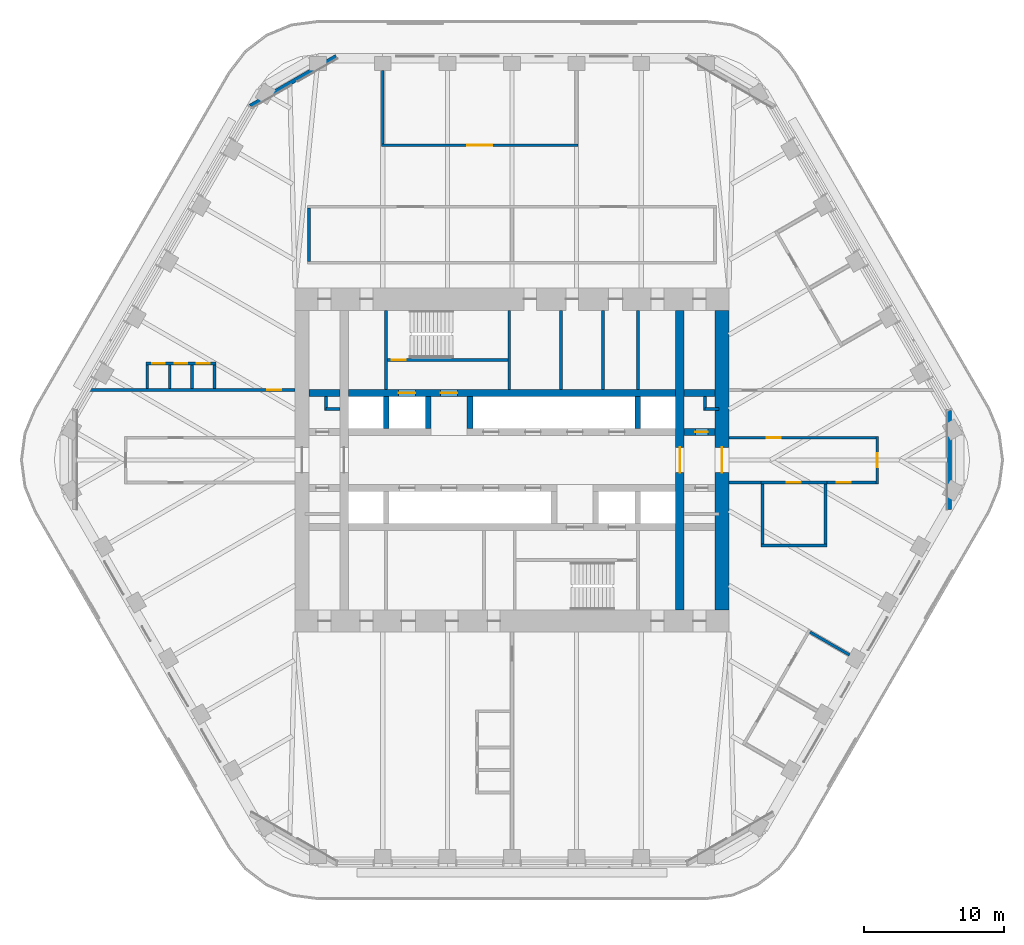
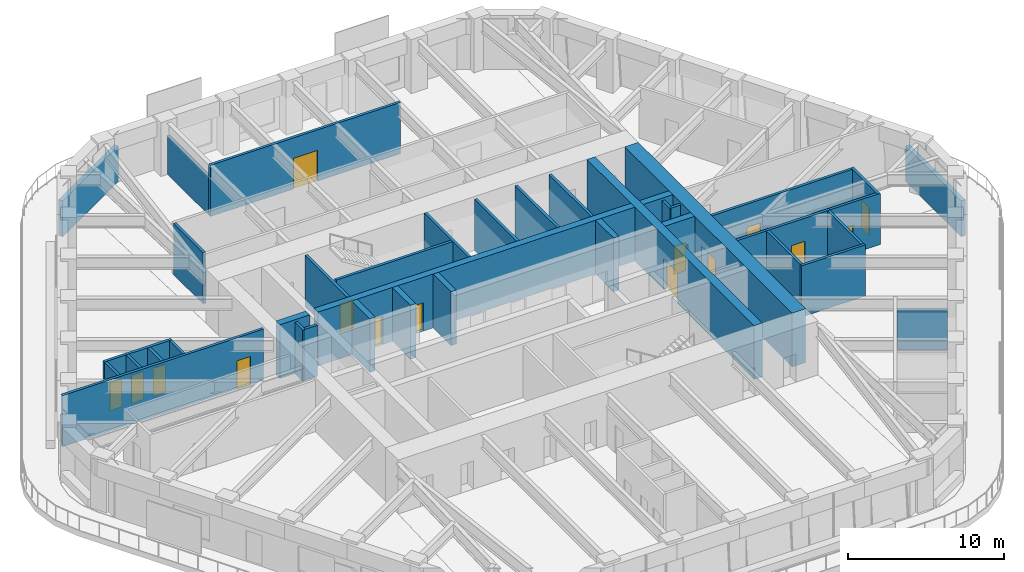
# One storey, part 16 of 20: 40 walls, 15 doors, 15 openings.
"""IFC4 building model written with IfcOpenShell, lengths in metres."""

from ifc_helpers import new_model, si_unit, direction, frame, frame_2d, origin, place, context, subcontext, project, spatial, rectangle, extrude, material, layer, layer_set, type_object, element, fill, save


model = new_model("IFC4")

# Units and contexts
model_context = context("Model", 3, precision=1e-05, world=origin(), true_north=direction((0.0, 1.0)))
body_context = subcontext(model_context, "Body", "Model", "MODEL_VIEW")
ifc_project = project(units=[si_unit("LENGTHUNIT", "METRE"), si_unit("AREAUNIT", "SQUARE_METRE"), si_unit("VOLUMEUNIT", "CUBIC_METRE"), si_unit("PLANEANGLEUNIT", "RADIAN"), si_unit("MASSUNIT", "GRAM", prefix="KILO")], contexts=[model_context])

# Site, building, storey
site_placement = place(None, origin())
site = spatial("IfcSite", under=ifc_project, at=site_placement, CompositionType="ELEMENT")
building_placement = place(site_placement, origin())
building = spatial("IfcBuilding", under=site, at=building_placement, Name="Tarfa Lantern Tower", CompositionType="ELEMENT")
storey_placement = place(building_placement, frame((0.0, 0.0, 270.10009765625)))
storey = spatial("IfcBuildingStorey", under=building, at=storey_placement, Name="L61", CompositionType="ELEMENT", Elevation=270.10009765625)

# Walls
ifc_material_1 = material(Name="Limestone cladding on blockwork", Category="masonry")
ifc_layer_1 = layer(ifc_material_1, 0.300048828125)
ifc_layer_set_1 = layer_set([ifc_layer_1], Name="EW1 STONE-CLAD WALL 300")
wall_type_1 = type_object("IfcWallType", Name="EW1 STONE-CLAD WALL 300", PredefinedType="SOLIDWALL", material=ifc_layer_set_1)
wall_1_placement = place(storey_placement, frame((-12.556396484375, 28.85009765625, 0.0), z_axis=(0.0, 0.0, 1.0), x_axis=(-0.866010973379, -0.500024993363, 0.0)))
element("IfcWall", 1, at=wall_1_placement, inside=storey, type_object=wall_type_1, Name="Garden wall N-NW", PredefinedType="SOLIDWALL", context=body_context, shape_type="SweptSolid", body=[
    extrude(rectangle(XDim=7.101806640625, YDim=0.300048828125, at=frame_2d((3.55078125, 0.0))), origin(), (0.0, 0.0, 1.0), 2.7998046875),
])
wall_2_placement = place(storey_placement, frame((31.262939453125, -3.55078125, 0.0), z_axis=(0.0, 0.0, 1.0), x_axis=(0.0, 1.0, 0.0)))
element("IfcWall", 2, at=wall_2_placement, inside=storey, type_object=wall_type_1, Name="Garden wall SE-NE", PredefinedType="SOLIDWALL", context=body_context, shape_type="SweptSolid", body=[
    extrude(rectangle(XDim=7.1015625, YDim=0.300048828125, at=frame_2d((3.55078125, 0.0))), origin(), (0.0, 0.0, 1.0), 2.7998046875),
])
ifc_material_2 = material(Name="Concrete blockwork", Category="masonry")
ifc_layer_2 = layer(ifc_material_2, 0.199951171875)
ifc_layer_set_2 = layer_set([ifc_layer_2], Name="IW1 BLOCKWORK PARTITION 200 EI 120")
wall_type_2 = type_object("IfcWallType", Name="IW1 BLOCKWORK PARTITION 200 EI 120", PredefinedType="PARTITIONING", material=ifc_layer_set_2)
for number, where, z_axis, x_axis, name in (
    (3, (-9.0, 5.050048828125, 0.0), (0.0, 0.0, 1.0), (0.0, 1.0, 0.0), "Core partition"),
    (4, (9.0, 5.050048828125, 0.0), (0.0, 0.0, 1.0), (0.0, 1.0, 0.0), "Core partition"),
    (5, (3.5, 5.050048828125, 0.0), (0.0, 0.0, 1.0), (0.0, 1.0, 0.0), "Core partition"),
    (6, (6.5, 5.050048828125, 0.0), (0.0, 0.0, 1.0), (0.0, 1.0, 0.0), "Core partition"),
):
    element("IfcWall", number, at=place(storey_placement, frame(where, z_axis=z_axis, x_axis=x_axis)), inside=storey, type_object=wall_type_2, Name=name, PredefinedType="PARTITIONING", context=body_context, shape_type="SweptSolid", body=[
        extrude(rectangle(XDim=5.64990234375, YDim=0.199951171875, at=frame_2d((2.824951171875, 0.0))), origin(), (0.0, 0.0, 1.0), 4.0),
    ])
for number, where, z_axis, x_axis, name in (
    (7, (-13.300048828125, 3.64990234375, 0.0), (0.0, 0.0, 1.0), (1.0, 0.0, 0.0), "Core partition"),
    (8, (-13.300048828125, 3.550048828125, 0.0), (0.0, 0.0, 1.0), (0.0, 1.0, 0.0), "Core partition"),
    (9, (13.800048828125, 3.64990234375, 0.0), (0.0, 0.0, 1.0), (1.0, 0.0, 0.0), "Core partition"),
    (10, (13.800048828125, 3.550048828125, 0.0), (0.0, 0.0, 1.0), (0.0, 1.0, 0.0), "Core partition"),
):
    element("IfcWall", number, at=place(storey_placement, frame(where, z_axis=z_axis, x_axis=x_axis)), inside=storey, type_object=wall_type_2, Name=name, PredefinedType="PARTITIONING", context=body_context, shape_type="SweptSolid", body=[
        extrude(rectangle(XDim=1.0, YDim=0.199951171875, at=frame_2d((0.5, 0.0))), origin(), (0.0, 0.0, 1.0), 4.0),
    ])
ifc_material_3 = material(Name="Gypsum board on steel studs", Category="steel")
ifc_layer_3 = layer(ifc_material_3, 0.2099609375)
ifc_layer_set_3 = layer_set([ifc_layer_3], Name="IW2 ACOUSTIC PARTITION 200")
wall_type_3 = type_object("IfcWallType", Name="IW2 ACOUSTIC PARTITION 200", PredefinedType="PARTITIONING", material=ifc_layer_set_3)
wall_3_placement = place(storey_placement, frame((-14.5, 14.199951171875, 0.0), z_axis=(0.0, 0.0, 1.0), x_axis=(0.0, 1.0, 0.0)))
element("IfcWall", 11, at=wall_3_placement, inside=storey, type_object=wall_type_3, Name="Partition", PredefinedType="PARTITIONING", context=body_context, shape_type="SweptSolid", body=[
    extrude(rectangle(XDim=3.800048828125, YDim=0.199951171875, at=frame_2d((1.89990234375, 0.0))), origin(), (0.0, 0.0, 1.0), 4.0),
])

# Wall, opening, door
wall_4_placement = place(storey_placement, frame((4.71875, 22.5, 0.0), z_axis=(0.0, 0.0, 1.0), x_axis=(-1.0, 0.0, 0.0)))
wall_4 = element("IfcWall", 12, at=wall_4_placement, inside=storey, type_object=wall_type_3, Name="Partition", PredefinedType="PARTITIONING", context=body_context, shape_type="SweptSolid", body=[
    extrude(rectangle(XDim=14.056396484375, YDim=0.199951171875, at=frame_2d((7.0283203125, 0.0))), origin(), (0.0, 0.0, 1.0), 4.0),
])
opening_1_placement = place(wall_4_placement, frame((6.128173828125, 0.0, 0.0)))
opening_1 = element("IfcOpeningElement", 13, at=opening_1_placement, cuts=wall_4, Name="Opening D28", PredefinedType="OPENING", context=body_context, shape_type="SweptSolid", body=[
    extrude(rectangle(XDim=1.800048828125, YDim=2.39990234375, at=frame_2d((0.89990234375, 1.199951171875))), frame((0.0, 0.10986328125, 0.0), z_axis=(0.0, -1.0, 0.0), x_axis=(1.0, 0.0, 0.0)), (0.0, 0.0, 1.0), 0.219970703125),
])
ifc_material_4 = material(Name="Timber door", Category="wood")
door_type_1 = type_object("IfcDoorType", Name="DR2 ROOM DOOR 1800x2400", OperationType="DOUBLE_DOOR_SINGLE_SWING", PredefinedType="DOOR", material=ifc_material_4)
door_1_placement = place(opening_1_placement, frame((1.800048828125, 0.0, 0.0), z_axis=(0.0, 0.0, 1.0), x_axis=(-1.0, 0.0, 0.0)))
door_1 = element("IfcDoor", 14, at=door_1_placement, inside=storey, type_object=door_type_1, Name="Presentation room door", OperationType="DOUBLE_DOOR_SINGLE_SWING", OverallHeight=2.39990234375, OverallWidth=1.800048828125, PredefinedType="DOOR", context=body_context, shape_type="SweptSolid", body=[
    extrude(rectangle(XDim=1.800048828125, YDim=2.39990234375, at=frame_2d((0.89990234375, 1.199951171875))), frame((0.0, 0.02490234375, 0.0), z_axis=(0.0, -1.0, 0.0), x_axis=(1.0, 0.0, 0.0)), (0.0, 0.0, 1.0), 0.050048828125),
])
fill(opening_1, door_1)

# Walls
wall_5_placement = place(storey_placement, frame((-9.237548828125, 22.60009765625, 0.0), z_axis=(0.0, 0.0, 1.0), x_axis=(0.0, 1.0, 0.0)))
element("IfcWall", 15, at=wall_5_placement, inside=storey, type_object=wall_type_3, Name="Partition", PredefinedType="PARTITIONING", context=body_context, shape_type="SweptSolid", body=[
    extrude(rectangle(XDim=5.25, YDim=0.199951171875, at=frame_2d((2.625, 0.0))), origin(), (0.0, 0.0, 1.0), 2.99169921875),
])
wall_6_placement = place(storey_placement, frame((21.30419921875, -12.300048828125, 0.0), z_axis=(0.0, 0.0, 1.0), x_axis=(0.866034226713, -0.499984717929, 0.0)))
element("IfcWall", 16, at=wall_6_placement, inside=storey, type_object=wall_type_3, Name="Partition", PredefinedType="PARTITIONING", context=body_context, shape_type="SweptSolid", body=[
    extrude(rectangle(XDim=3.25, YDim=0.199951171875, at=frame_2d((1.625, 0.0))), origin(), (0.0, 0.0, 1.0), 3.08154296875),
])

# Wall, opening, door
wall_7_placement = place(storey_placement, frame((17.800048828125, -1.60009765625, 0.0), z_axis=(0.0, 0.0, 1.0), x_axis=(1.0, 0.0, 0.0)))
wall_7 = element("IfcWall", 17, at=wall_7_placement, inside=storey, type_object=wall_type_3, Name="Partition", PredefinedType="PARTITIONING", context=body_context, shape_type="SweptSolid", body=[
    extrude(rectangle(XDim=4.699951171875, YDim=0.199951171875, at=frame_2d((2.35009765625, 0.0))), origin(), (0.0, 0.0, 1.0), 4.0),
])
opening_2_placement = place(wall_7_placement, frame((1.85009765625, 0.0, 0.0)))
opening_2 = element("IfcOpeningElement", 18, at=opening_2_placement, cuts=wall_7, Name="Opening D27", PredefinedType="OPENING", context=body_context, shape_type="SweptSolid", body=[
    extrude(rectangle(XDim=1.0, YDim=2.199951171875, at=frame_2d((0.5, 1.10009765625))), frame((0.0, 0.10986328125, 0.0), z_axis=(0.0, -1.0, 0.0), x_axis=(1.0, 0.0, 0.0)), (0.0, 0.0, 1.0), 0.219970703125),
])
door_type_2 = type_object("IfcDoorType", Name="DR1 ROOM DOOR 1000x2200", OperationType="SINGLE_SWING_LEFT", PredefinedType="DOOR", material=ifc_material_4)
door_2_placement = place(opening_2_placement, frame((1.0, 0.0, 0.0), z_axis=(0.0, 0.0, 1.0), x_axis=(-1.0, 0.0, 0.0)))
door_2 = element("IfcDoor", 19, at=door_2_placement, inside=storey, type_object=door_type_2, Name="Pantry door", OperationType="SINGLE_SWING_RIGHT", OverallHeight=2.199951171875, OverallWidth=1.0, PredefinedType="DOOR", context=body_context, shape_type="SweptSolid", body=[
    extrude(rectangle(XDim=1.0, YDim=2.199951171875, at=frame_2d((0.5, 1.10009765625))), frame((0.0, 0.02490234375, 0.0), z_axis=(0.0, -1.0, 0.0), x_axis=(1.0, 0.0, 0.0)), (0.0, 0.0, 1.0), 0.050048828125),
])
fill(opening_2, door_2)

# Walls
wall_8_placement = place(storey_placement, frame((17.800048828125, -6.10009765625, 0.0), z_axis=(0.0, 0.0, 1.0), x_axis=(1.0, 0.0, 0.0)))
element("IfcWall", 20, at=wall_8_placement, inside=storey, type_object=wall_type_3, Name="Partition", PredefinedType="PARTITIONING", context=body_context, shape_type="SweptSolid", body=[
    extrude(rectangle(XDim=4.699951171875, YDim=0.199951171875, at=frame_2d((2.35009765625, 0.0))), origin(), (0.0, 0.0, 1.0), 4.0),
])
for number, where, z_axis, x_axis, name in (
    (21, (17.89990234375, -1.699951171875, 0.0), (0.0, 0.0, 1.0), (0.0, -1.0, 0.0), "Partition"),
    (22, (22.39990234375, -1.699951171875, 0.0), (0.0, 0.0, 1.0), (0.0, -1.0, 0.0), "Partition"),
):
    element("IfcWall", number, at=place(storey_placement, frame(where, z_axis=z_axis, x_axis=x_axis)), inside=storey, type_object=wall_type_3, Name=name, PredefinedType="PARTITIONING", context=body_context, shape_type="SweptSolid", body=[
        extrude(rectangle(XDim=4.300048828125, YDim=0.199951171875, at=frame_2d((2.14990234375, 0.0))), origin(), (0.0, 0.0, 1.0), 4.0),
    ])

# Wall, opening, door
wall_9_placement = place(storey_placement, frame((15.5, 1.60009765625, 0.0), z_axis=(0.0, 0.0, 1.0), x_axis=(1.0, 0.0, 0.0)))
wall_9 = element("IfcWall", 23, at=wall_9_placement, inside=storey, type_object=wall_type_3, Name="Partition", PredefinedType="PARTITIONING", context=body_context, shape_type="SweptSolid", body=[
    extrude(rectangle(XDim=10.699951171875, YDim=0.199951171875, at=frame_2d((5.35009765625, 0.0))), origin(), (0.0, 0.0, 1.0), 4.0),
])
opening_3_placement = place(wall_9_placement, frame((2.7099609375, 0.0, 0.0)))
opening_3 = element("IfcOpeningElement", 24, at=opening_3_placement, cuts=wall_9, Name="Opening D42", PredefinedType="OPENING", context=body_context, shape_type="SweptSolid", body=[
    extrude(rectangle(XDim=1.0, YDim=2.199951171875, at=frame_2d((0.5, 1.10009765625))), frame((0.0, 0.10986328125, 0.0), z_axis=(0.0, -1.0, 0.0), x_axis=(1.0, 0.0, 0.0)), (0.0, 0.0, 1.0), 0.219970703125),
])
door_3_placement = place(opening_3_placement, origin())
door_3 = element("IfcDoor", 25, at=door_3_placement, inside=storey, type_object=door_type_2, Name="Corridor door", OperationType="SINGLE_SWING_RIGHT", OverallHeight=2.199951171875, OverallWidth=1.0, PredefinedType="DOOR", context=body_context, shape_type="SweptSolid", body=[
    extrude(rectangle(XDim=1.0, YDim=2.199951171875, at=frame_2d((0.5, 1.10009765625))), frame((0.0, 0.02490234375, 0.0), z_axis=(0.0, -1.0, 0.0), x_axis=(1.0, 0.0, 0.0)), (0.0, 0.0, 1.0), 0.050048828125),
])
fill(opening_3, door_3)

# Wall
wall_10_placement = place(storey_placement, frame((15.5, -1.60009765625, 0.0), z_axis=(0.0, 0.0, 1.0), x_axis=(1.0, 0.0, 0.0)))
element("IfcWall", 26, at=wall_10_placement, inside=storey, type_object=wall_type_3, Name="Partition", PredefinedType="PARTITIONING", context=body_context, shape_type="SweptSolid", body=[
    extrude(rectangle(XDim=2.300048828125, YDim=0.199951171875, at=frame_2d((1.14990234375, 0.0))), origin(), (0.0, 0.0, 1.0), 4.0),
])

# Wall, opening, door
wall_11_placement = place(storey_placement, frame((22.5, -1.60009765625, 0.0), z_axis=(0.0, 0.0, 1.0), x_axis=(1.0, 0.0, 0.0)))
wall_11 = element("IfcWall", 27, at=wall_11_placement, inside=storey, type_object=wall_type_3, Name="Partition", PredefinedType="PARTITIONING", context=body_context, shape_type="SweptSolid", body=[
    extrude(rectangle(XDim=3.699951171875, YDim=0.199951171875, at=frame_2d((1.85009765625, 0.0))), origin(), (0.0, 0.0, 1.0), 4.0),
])
opening_4_placement = place(wall_11_placement, frame((0.699951171875, 0.0, 0.0)))
opening_4 = element("IfcOpeningElement", 28, at=opening_4_placement, cuts=wall_11, Name="Opening D43", PredefinedType="OPENING", context=body_context, shape_type="SweptSolid", body=[
    extrude(rectangle(XDim=1.0, YDim=2.199951171875, at=frame_2d((0.5, 1.10009765625))), frame((0.0, 0.10986328125, 0.0), z_axis=(0.0, -1.0, 0.0), x_axis=(1.0, 0.0, 0.0)), (0.0, 0.0, 1.0), 0.219970703125),
])
door_4_placement = place(opening_4_placement, frame((1.0, 0.0, 0.0), z_axis=(0.0, 0.0, 1.0), x_axis=(-1.0, 0.0, 0.0)))
door_4 = element("IfcDoor", 29, at=door_4_placement, inside=storey, type_object=door_type_2, Name="Corridor door", OperationType="SINGLE_SWING_LEFT", OverallHeight=2.199951171875, OverallWidth=1.0, PredefinedType="DOOR", context=body_context, shape_type="SweptSolid", body=[
    extrude(rectangle(XDim=1.0, YDim=2.199951171875, at=frame_2d((0.5, 1.10009765625))), frame((0.0, 0.02490234375, 0.0), z_axis=(0.0, -1.0, 0.0), x_axis=(1.0, 0.0, 0.0)), (0.0, 0.0, 1.0), 0.050048828125),
])
fill(opening_4, door_4)

wall_12_placement = place(storey_placement, frame((26.10009765625, -1.699951171875, 0.0), z_axis=(0.0, 0.0, 1.0), x_axis=(0.0, 1.0, 0.0)))
wall_12 = element("IfcWall", 30, at=wall_12_placement, inside=storey, type_object=wall_type_3, Name="Partition", PredefinedType="PARTITIONING", context=body_context, shape_type="SweptSolid", body=[
    extrude(rectangle(XDim=3.39990234375, YDim=0.199951171875, at=frame_2d((1.699951171875, 0.0))), origin(), (0.0, 0.0, 1.0), 4.0),
])
opening_5_placement = place(wall_12_placement, frame((1.199951171875, 0.0, 0.0)))
opening_5 = element("IfcOpeningElement", 31, at=opening_5_placement, cuts=wall_12, Name="Opening D41", PredefinedType="OPENING", context=body_context, shape_type="SweptSolid", body=[
    extrude(rectangle(XDim=1.0, YDim=2.199951171875, at=frame_2d((0.5, 1.10009765625))), frame((0.0, 0.10986328125, 0.0), z_axis=(0.0, -1.0, 0.0), x_axis=(1.0, 0.0, 0.0)), (0.0, 0.0, 1.0), 0.219970703125),
])
door_5_placement = place(opening_5_placement, frame((1.0, 0.0, 0.0), z_axis=(0.0, 0.0, 1.0), x_axis=(-1.0, 0.0, 0.0)))
door_5 = element("IfcDoor", 32, at=door_5_placement, inside=storey, type_object=door_type_2, Name="Corridor door", OperationType="SINGLE_SWING_LEFT", OverallHeight=2.199951171875, OverallWidth=1.0, PredefinedType="DOOR", context=body_context, shape_type="SweptSolid", body=[
    extrude(rectangle(XDim=1.0, YDim=2.199951171875, at=frame_2d((0.5, 1.10009765625))), frame((0.0, 0.02490234375, 0.0), z_axis=(0.0, -1.0, 0.0), x_axis=(1.0, 0.0, 0.0)), (0.0, 0.0, 1.0), 0.050048828125),
])
fill(opening_5, door_5)

wall_13_placement = place(storey_placement, frame((-15.5, 5.0, 0.0), z_axis=(0.0, 0.0, 1.0), x_axis=(-1.0, 0.0, 0.0)))
wall_13 = element("IfcWall", 33, at=wall_13_placement, inside=storey, type_object=wall_type_3, Name="Partition", PredefinedType="PARTITIONING", context=body_context, shape_type="SweptSolid", body=[
    extrude(rectangle(XDim=14.845458984375, YDim=0.199951171875, at=frame_2d((7.4228515625, 0.0))), origin(), (0.0, 0.0, 1.0), 4.0),
])
opening_6_placement = place(wall_13_placement, frame((0.984619140625, 0.0, 0.0)))
opening_6 = element("IfcOpeningElement", 34, at=opening_6_placement, cuts=wall_13, Name="Opening D49", PredefinedType="OPENING", context=body_context, shape_type="SweptSolid", body=[
    extrude(rectangle(XDim=1.0, YDim=2.199951171875, at=frame_2d((0.5, 1.10009765625))), frame((0.0, 0.10986328125, 0.0), z_axis=(0.0, -1.0, 0.0), x_axis=(1.0, 0.0, 0.0)), (0.0, 0.0, 1.0), 0.219970703125),
])
door_6_placement = place(opening_6_placement, origin())
door_6 = element("IfcDoor", 35, at=door_6_placement, inside=storey, type_object=door_type_2, Name="Zone door", OperationType="SINGLE_SWING_RIGHT", OverallHeight=2.199951171875, OverallWidth=1.0, PredefinedType="DOOR", context=body_context, shape_type="SweptSolid", body=[
    extrude(rectangle(XDim=1.0, YDim=2.199951171875, at=frame_2d((0.5, 1.10009765625))), frame((0.0, 0.02490234375, 0.0), z_axis=(0.0, -1.0, 0.0), x_axis=(1.0, 0.0, 0.0)), (0.0, 0.0, 1.0), 0.050048828125),
])
fill(opening_6, door_6)

# Wall, openings, doors
wall_14_placement = place(storey_placement, frame((-21.1650390625, 6.89990234375, 0.0), z_axis=(0.0, 0.0, 1.0), x_axis=(-1.0, 0.0, 0.0)))
wall_14 = element("IfcWall", 36, at=wall_14_placement, inside=storey, type_object=wall_type_3, Name="Partition", PredefinedType="PARTITIONING", context=body_context, shape_type="SweptSolid", body=[
    extrude(rectangle(XDim=5.0, YDim=0.199951171875, at=frame_2d((2.5, 0.0))), origin(), (0.0, 0.0, 1.0), 4.0),
])
opening_7_placement = place(wall_14_placement, frame((0.449951171875, 0.0, 0.0)))
opening_7 = element("IfcOpeningElement", 37, at=opening_7_placement, cuts=wall_14, Name="Opening D38", PredefinedType="OPENING", context=body_context, shape_type="SweptSolid", body=[
    extrude(rectangle(XDim=0.89990234375, YDim=2.199951171875, at=frame_2d((0.449951171875, 1.10009765625))), frame((0.0, 0.10986328125, 0.0), z_axis=(0.0, -1.0, 0.0), x_axis=(1.0, 0.0, 0.0)), (0.0, 0.0, 1.0), 0.219970703125),
])
opening_8_placement = place(wall_14_placement, frame((2.050048828125, 0.0, 0.0)))
opening_8 = element("IfcOpeningElement", 38, at=opening_8_placement, cuts=wall_14, Name="Opening D39", PredefinedType="OPENING", context=body_context, shape_type="SweptSolid", body=[
    extrude(rectangle(XDim=0.89990234375, YDim=2.199951171875, at=frame_2d((0.449951171875, 1.10009765625))), frame((0.0, 0.10986328125, 0.0), z_axis=(0.0, -1.0, 0.0), x_axis=(1.0, 0.0, 0.0)), (0.0, 0.0, 1.0), 0.219970703125),
])
opening_9_placement = place(wall_14_placement, frame((3.64990234375, 0.0, 0.0)))
opening_9 = element("IfcOpeningElement", 39, at=opening_9_placement, cuts=wall_14, Name="Opening D40", PredefinedType="OPENING", context=body_context, shape_type="SweptSolid", body=[
    extrude(rectangle(XDim=0.89990234375, YDim=2.199951171875, at=frame_2d((0.449951171875, 1.10009765625))), frame((0.0, 0.10986328125, 0.0), z_axis=(0.0, -1.0, 0.0), x_axis=(1.0, 0.0, 0.0)), (0.0, 0.0, 1.0), 0.219970703125),
])
door_type_3 = type_object("IfcDoorType", Name="DR3 ROOM DOOR 900x2200", OperationType="SINGLE_SWING_LEFT", PredefinedType="DOOR", material=ifc_material_4)
door_7_placement = place(opening_7_placement, origin())
door_7 = element("IfcDoor", 40, at=door_7_placement, inside=storey, type_object=door_type_3, Name="Phone booth door", OperationType="SINGLE_SWING_RIGHT", OverallHeight=2.199951171875, OverallWidth=0.89990234375, PredefinedType="DOOR", context=body_context, shape_type="SweptSolid", body=[
    extrude(rectangle(XDim=0.89990234375, YDim=2.199951171875, at=frame_2d((0.449951171875, 1.10009765625))), frame((0.0, 0.02490234375, 0.0), z_axis=(0.0, -1.0, 0.0), x_axis=(1.0, 0.0, 0.0)), (0.0, 0.0, 1.0), 0.050048828125),
])
fill(opening_7, door_7)
door_8_placement = place(opening_8_placement, origin())
door_8 = element("IfcDoor", 41, at=door_8_placement, inside=storey, type_object=door_type_3, Name="Phone booth door", OperationType="SINGLE_SWING_RIGHT", OverallHeight=2.199951171875, OverallWidth=0.89990234375, PredefinedType="DOOR", context=body_context, shape_type="SweptSolid", body=[
    extrude(rectangle(XDim=0.89990234375, YDim=2.199951171875, at=frame_2d((0.449951171875, 1.10009765625))), frame((0.0, 0.02490234375, 0.0), z_axis=(0.0, -1.0, 0.0), x_axis=(1.0, 0.0, 0.0)), (0.0, 0.0, 1.0), 0.050048828125),
])
fill(opening_8, door_8)
door_9_placement = place(opening_9_placement, origin())
door_9 = element("IfcDoor", 42, at=door_9_placement, inside=storey, type_object=door_type_3, Name="Phone booth door", OperationType="SINGLE_SWING_LEFT", OverallHeight=2.199951171875, OverallWidth=0.89990234375, PredefinedType="DOOR", context=body_context, shape_type="SweptSolid", body=[
    extrude(rectangle(XDim=0.89990234375, YDim=2.199951171875, at=frame_2d((0.449951171875, 1.10009765625))), frame((0.0, 0.02490234375, 0.0), z_axis=(0.0, -1.0, 0.0), x_axis=(1.0, 0.0, 0.0)), (0.0, 0.0, 1.0), 0.050048828125),
])
fill(opening_9, door_9)

# Walls
for number, where, z_axis, x_axis, name in (
    (43, (-21.264892578125, 5.10009765625, 0.0), (0.0, 0.0, 1.0), (0.0, 1.0, 0.0), "Partition"),
    (44, (-22.864990234375, 5.10009765625, 0.0), (0.0, 0.0, 1.0), (0.0, 1.0, 0.0), "Partition"),
    (45, (-24.465087890625, 5.10009765625, 0.0), (0.0, 0.0, 1.0), (0.0, 1.0, 0.0), "Partition"),
    (46, (-26.06494140625, 5.10009765625, 0.0), (0.0, 0.0, 1.0), (0.0, 1.0, 0.0), "Partition"),
):
    element("IfcWall", number, at=place(storey_placement, frame(where, z_axis=z_axis, x_axis=x_axis)), inside=storey, type_object=wall_type_3, Name=name, PredefinedType="PARTITIONING", context=body_context, shape_type="SweptSolid", body=[
        extrude(rectangle(XDim=1.699951171875, YDim=0.199951171875, at=frame_2d((0.85009765625, 0.0))), origin(), (0.0, 0.0, 1.0), 4.0),
    ])
ifc_material_5 = material(Name="Concrete C80/95", Category="concrete")
ifc_layer_4 = layer(ifc_material_5, 0.199951171875)
ifc_layer_set_4 = layer_set([ifc_layer_4], Name="SW12 CORE WALL 200")
wall_type_4 = type_object("IfcWallType", Name="SW12 CORE WALL 200", PredefinedType="SHEAR", material=ifc_layer_set_4)
wall_15_placement = place(storey_placement, frame((-0.199951171875, 5.050048828125, 0.0), z_axis=(0.0, 0.0, 1.0), x_axis=(0.0, 1.0, 0.0)))
element("IfcWall", 47, at=wall_15_placement, inside=storey, type_object=wall_type_4, Name="Core wall stair shaft N", PredefinedType="SHEAR", context=body_context, shape_type="SweptSolid", body=[
    extrude(rectangle(XDim=5.64990234375, YDim=0.199951171875, at=frame_2d((2.824951171875, 0.0))), origin(), (0.0, 0.0, 1.0), 4.199951171875),
])

# Wall, opening, door
wall_16_placement = place(storey_placement, frame((-8.89990234375, 7.14990234375, 0.0), z_axis=(0.0, 0.0, 1.0), x_axis=(1.0, 0.0, 0.0)))
wall_16 = element("IfcWall", 48, at=wall_16_placement, inside=storey, type_object=wall_type_4, Name="Core wall stair partition N", PredefinedType="SHEAR", context=body_context, shape_type="SweptSolid", body=[
    extrude(rectangle(XDim=8.599853515625, YDim=0.199951171875, at=frame_2d((4.2998046875, 0.0))), origin(), (0.0, 0.0, 1.0), 4.199951171875),
])
opening_10_placement = place(wall_16_placement, frame((0.300048828125, 0.0, 0.0)))
opening_10 = element("IfcOpeningElement", 49, at=opening_10_placement, cuts=wall_16, Name="Opening D23", PredefinedType="OPENING", context=body_context, shape_type="SweptSolid", body=[
    extrude(rectangle(XDim=1.0, YDim=2.199951171875, at=frame_2d((0.5, 1.10009765625))), frame((0.0, 0.10986328125, 0.0), z_axis=(0.0, -1.0, 0.0), x_axis=(1.0, 0.0, 0.0)), (0.0, 0.0, 1.0), 0.219970703125),
])
ifc_material_6 = material(Name="Steel fire door", Category="steel")
door_type_4 = type_object("IfcDoorType", Name="DF2 STAIR DOOR 1000x2200", OperationType="SINGLE_SWING_LEFT", PredefinedType="DOOR", material=ifc_material_6)
door_10_placement = place(opening_10_placement, origin())
door_10 = element("IfcDoor", 50, at=door_10_placement, inside=storey, type_object=door_type_4, Name="Stair door", OperationType="SINGLE_SWING_RIGHT", OverallHeight=2.199951171875, OverallWidth=1.0, PredefinedType="DOOR", context=body_context, shape_type="SweptSolid", body=[
    extrude(rectangle(XDim=1.0, YDim=2.199951171875, at=frame_2d((0.5, 1.10009765625))), frame((0.0, 0.02490234375, 0.0), z_axis=(0.0, -1.0, 0.0), x_axis=(1.0, 0.0, 0.0)), (0.0, 0.0, 1.0), 0.050048828125),
])
fill(opening_10, door_10)

ifc_layer_5 = layer(ifc_material_5, 1.0)
ifc_layer_set_5 = layer_set([ifc_layer_5], Name="SW2 CORE WALL 1000")
wall_type_5 = type_object("IfcWallType", Name="SW2 CORE WALL 1000", PredefinedType="SHEAR", material=ifc_layer_set_5)
wall_17_placement = place(storey_placement, frame((15.0, -10.699951171875, 0.0), z_axis=(0.0, 0.0, 1.0), x_axis=(0.0, 1.0, 0.0)))
wall_17 = element("IfcWall", 51, at=wall_17_placement, inside=storey, type_object=wall_type_5, Name="Core wall E", PredefinedType="SHEAR", context=body_context, shape_type="SweptSolid", body=[
    extrude(rectangle(XDim=21.39990234375, YDim=1.0, at=frame_2d((10.699951171875, 0.0))), origin(), (0.0, 0.0, 1.0), 4.199951171875),
])
opening_11_placement = place(wall_17_placement, frame((9.800048828125, 0.0, 0.0)))
opening_11 = element("IfcOpeningElement", 52, at=opening_11_placement, cuts=wall_17, Name="Opening D11", PredefinedType="OPENING", context=body_context, shape_type="SweptSolid", body=[
    extrude(rectangle(XDim=1.800048828125, YDim=2.39990234375, at=frame_2d((0.89990234375, 1.199951171875))), frame((0.0, 0.510009765625, 0.0), z_axis=(0.0, -1.0, 0.0), x_axis=(1.0, 0.0, 0.0)), (0.0, 0.0, 1.0), 1.02001953125),
])
door_type_5 = type_object("IfcDoorType", Name="DL1 LOBBY DOOR 1800x2400", OperationType="DOUBLE_DOOR_SINGLE_SWING", PredefinedType="DOOR", material=ifc_material_6)
door_11_placement = place(opening_11_placement, frame((1.800048828125, 0.0, 0.0), z_axis=(0.0, 0.0, 1.0), x_axis=(-1.0, 0.0, 0.0)))
door_11 = element("IfcDoor", 53, at=door_11_placement, inside=storey, type_object=door_type_5, Name="Lift lobby door", OperationType="DOUBLE_DOOR_SINGLE_SWING", OverallHeight=2.39990234375, OverallWidth=1.800048828125, PredefinedType="DOOR", context=body_context, shape_type="SweptSolid", body=[
    extrude(rectangle(XDim=1.800048828125, YDim=2.39990234375, at=frame_2d((0.89990234375, 1.199951171875))), frame((0.0, 0.02490234375, 0.0), z_axis=(0.0, -1.0, 0.0), x_axis=(1.0, 0.0, 0.0)), (0.0, 0.0, 1.0), 0.050048828125),
])
fill(opening_11, door_11)

ifc_layer_6 = layer(ifc_material_5, 0.5)
ifc_layer_set_6 = layer_set([ifc_layer_6], Name="SW5 CORE WALL 500")
wall_type_6 = type_object("IfcWallType", Name="SW5 CORE WALL 500", PredefinedType="SHEAR", material=ifc_layer_set_6)
wall_18_placement = place(storey_placement, frame((12.300048828125, 2.0, 0.0), z_axis=(0.0, 0.0, 1.0), x_axis=(1.0, 0.0, 0.0)))
wall_18 = element("IfcWall", 54, at=wall_18_placement, inside=storey, type_object=wall_type_6, Name="Core wall lobby east N", PredefinedType="SHEAR", context=body_context, shape_type="SweptSolid", body=[
    extrude(rectangle(XDim=2.199951171875, YDim=0.5, at=frame_2d((1.10009765625, 0.0))), origin(), (0.0, 0.0, 1.0), 4.199951171875),
])
opening_12_placement = place(wall_18_placement, frame((0.800048828125, 0.0, 0.0)))
opening_12 = element("IfcOpeningElement", 55, at=opening_12_placement, cuts=wall_18, Name="Opening D13", PredefinedType="OPENING", context=body_context, shape_type="SweptSolid", body=[
    extrude(rectangle(XDim=0.89990234375, YDim=2.199951171875, at=frame_2d((0.449951171875, 1.10009765625))), frame((0.0, 0.260009765625, 0.0), z_axis=(0.0, -1.0, 0.0), x_axis=(1.0, 0.0, 0.0)), (0.0, 0.0, 1.0), 0.52001953125),
])
door_type_6 = type_object("IfcDoorType", Name="DF6 SERVICE ROOM DOOR 900x2200", OperationType="SINGLE_SWING_LEFT", PredefinedType="DOOR", material=ifc_material_6)
door_12_placement = place(opening_12_placement, origin())
door_12 = element("IfcDoor", 56, at=door_12_placement, inside=storey, type_object=door_type_6, Name="Service room door", OperationType="SINGLE_SWING_LEFT", OverallHeight=2.199951171875, OverallWidth=0.89990234375, PredefinedType="DOOR", context=body_context, shape_type="SweptSolid", body=[
    extrude(rectangle(XDim=0.89990234375, YDim=2.199951171875, at=frame_2d((0.449951171875, 1.10009765625))), frame((0.0, 0.02490234375, 0.0), z_axis=(0.0, -1.0, 0.0), x_axis=(1.0, 0.0, 0.0)), (0.0, 0.0, 1.0), 0.050048828125),
])
fill(opening_12, door_12)

# Wall
wall_19_placement = place(storey_placement, frame((-14.5, 4.800048828125, 0.0), z_axis=(0.0, 0.0, 1.0), x_axis=(1.0, 0.0, 0.0)))
element("IfcWall", 57, at=wall_19_placement, inside=storey, type_object=wall_type_6, Name="Core wall rear N", PredefinedType="SHEAR", context=body_context, shape_type="SweptSolid", body=[
    extrude(rectangle(XDim=2.199951171875, YDim=0.5, at=frame_2d((1.10009765625, 0.0))), origin(), (0.0, 0.0, 1.0), 4.199951171875),
])

# Wall, openings, doors
wall_20_placement = place(storey_placement, frame((-11.699951171875, 4.800048828125, 0.0), z_axis=(0.0, 0.0, 1.0), x_axis=(1.0, 0.0, 0.0)))
wall_20 = element("IfcWall", 58, at=wall_20_placement, inside=storey, type_object=wall_type_6, Name="Core wall rear N", PredefinedType="SHEAR", context=body_context, shape_type="SweptSolid", body=[
    extrude(rectangle(XDim=23.39990234375, YDim=0.5, at=frame_2d((11.699951171875, 0.0))), origin(), (0.0, 0.0, 1.0), 4.199951171875),
])
opening_13_placement = place(wall_20_placement, frame((6.60009765625, 0.0, 0.0)))
opening_13 = element("IfcOpeningElement", 59, at=opening_13_placement, cuts=wall_20, Name="Opening D09", PredefinedType="OPENING", context=body_context, shape_type="SweptSolid", body=[
    extrude(rectangle(XDim=1.199951171875, YDim=2.199951171875, at=frame_2d((0.60009765625, 1.10009765625))), frame((0.0, 0.260009765625, 0.0), z_axis=(0.0, -1.0, 0.0), x_axis=(1.0, 0.0, 0.0)), (0.0, 0.0, 1.0), 0.52001953125),
])
opening_14_placement = place(wall_20_placement, frame((3.60009765625, 0.0, 0.0)))
opening_14 = element("IfcOpeningElement", 60, at=opening_14_placement, cuts=wall_20, Name="Opening LD01", PredefinedType="OPENING", context=body_context, shape_type="SweptSolid", body=[
    extrude(rectangle(XDim=1.199951171875, YDim=2.199951171875, at=frame_2d((0.60009765625, 1.10009765625))), frame((0.0, 0.260009765625, 0.0), z_axis=(0.0, -1.0, 0.0), x_axis=(1.0, 0.0, 0.0)), (0.0, 0.0, 1.0), 0.52001953125),
])
door_type_7 = type_object("IfcDoorType", Name="DF1 FIREFIGHTING LOBBY DOOR 1200x2200", OperationType="SINGLE_SWING_LEFT", PredefinedType="DOOR", material=ifc_material_6)
door_13_placement = place(opening_13_placement, origin())
door_13 = element("IfcDoor", 61, at=door_13_placement, inside=storey, type_object=door_type_7, Name="Firefighting lobby door", OperationType="SINGLE_SWING_LEFT", OverallHeight=2.199951171875, OverallWidth=1.199951171875, PredefinedType="DOOR", context=body_context, shape_type="SweptSolid", body=[
    extrude(rectangle(XDim=1.199951171875, YDim=2.199951171875, at=frame_2d((0.60009765625, 1.10009765625))), frame((0.0, 0.02490234375, 0.0), z_axis=(0.0, -1.0, 0.0), x_axis=(1.0, 0.0, 0.0)), (0.0, 0.0, 1.0), 0.050048828125),
])
fill(opening_13, door_13)
ifc_material_7 = material(Name="Stainless steel lift door", Category="steel")
door_type_8 = type_object("IfcDoorType", Name="LD1 LIFT LANDING DOOR 1200x2200", OperationType="SLIDING_TO_LEFT", PredefinedType="DOOR", material=ifc_material_7)
door_14_placement = place(opening_14_placement, origin())
door_14 = element("IfcDoor", 62, at=door_14_placement, inside=storey, type_object=door_type_8, Name="Landing door FL1", OperationType="SLIDING_TO_LEFT", OverallHeight=2.199951171875, OverallWidth=1.199951171875, PredefinedType="DOOR", context=body_context, shape_type="SweptSolid", body=[
    extrude(rectangle(XDim=1.199951171875, YDim=2.199951171875, at=frame_2d((0.60009765625, 1.10009765625))), frame((0.0, 0.02490234375, 0.0), z_axis=(0.0, -1.0, 0.0), x_axis=(1.0, 0.0, 0.0)), (0.0, 0.0, 1.0), 0.050048828125),
])
fill(opening_14, door_14)

# Walls
wall_21_placement = place(storey_placement, frame((12.300048828125, 4.800048828125, 0.0), z_axis=(0.0, 0.0, 1.0), x_axis=(1.0, 0.0, 0.0)))
element("IfcWall", 63, at=wall_21_placement, inside=storey, type_object=wall_type_6, Name="Core wall rear N", PredefinedType="SHEAR", context=body_context, shape_type="SweptSolid", body=[
    extrude(rectangle(XDim=2.199951171875, YDim=0.5, at=frame_2d((1.10009765625, 0.0))), origin(), (0.0, 0.0, 1.0), 4.199951171875),
])
ifc_layer_7 = layer(ifc_material_5, 0.39990234375)
ifc_layer_set_7 = layer_set([ifc_layer_7], Name="SW6 CORE WALL 400")
wall_type_7 = type_object("IfcWallType", Name="SW6 CORE WALL 400", PredefinedType="SHEAR", material=ifc_layer_set_7)
for number, where, z_axis, x_axis, name in (
    (64, (-9.0, 2.25, 0.0), (0.0, 0.0, 1.0), (0.0, 1.0, 0.0), "Core wall divider N"),
    (65, (-6.0, 2.25, 0.0), (0.0, 0.0, 1.0), (0.0, 1.0, 0.0), "Core wall divider N"),
    (66, (-3.0, 2.25, 0.0), (0.0, 0.0, 1.0), (0.0, 1.0, 0.0), "Core wall divider N"),
    (67, (9.0, 2.25, 0.0), (0.0, 0.0, 1.0), (0.0, 1.0, 0.0), "Core wall divider N"),
):
    element("IfcWall", number, at=place(storey_placement, frame(where, z_axis=z_axis, x_axis=x_axis)), inside=storey, type_object=wall_type_7, Name=name, PredefinedType="SHEAR", context=body_context, shape_type="SweptSolid", body=[
        extrude(rectangle(XDim=2.300048828125, YDim=0.39990234375, at=frame_2d((1.14990234375, 0.0))), origin(), (0.0, 0.0, 1.0), 4.199951171875),
    ])

# Wall, opening, door
ifc_layer_8 = layer(ifc_material_5, 0.60009765625)
ifc_layer_set_8 = layer_set([ifc_layer_8], Name="SW9 CORE WALL 600")
wall_type_8 = type_object("IfcWallType", Name="SW9 CORE WALL 600", PredefinedType="SHEAR", material=ifc_layer_set_8)
wall_22_placement = place(storey_placement, frame((12.0, -10.699951171875, 0.0), z_axis=(0.0, 0.0, 1.0), x_axis=(0.0, 1.0, 0.0)))
wall_22 = element("IfcWall", 68, at=wall_22_placement, inside=storey, type_object=wall_type_8, Name="Core wall cross 12 m east", PredefinedType="SHEAR", context=body_context, shape_type="SweptSolid", body=[
    extrude(rectangle(XDim=21.39990234375, YDim=0.60009765625, at=frame_2d((10.699951171875, 0.0))), origin(), (0.0, 0.0, 1.0), 4.199951171875),
])
opening_15_placement = place(wall_22_placement, frame((9.800048828125, 0.0, 0.0)))
opening_15 = element("IfcOpeningElement", 69, at=opening_15_placement, cuts=wall_22, Name="Opening D25", PredefinedType="OPENING", context=body_context, shape_type="SweptSolid", body=[
    extrude(rectangle(XDim=1.800048828125, YDim=2.39990234375, at=frame_2d((0.89990234375, 1.199951171875))), frame((0.0, 0.31005859375, 0.0), z_axis=(0.0, -1.0, 0.0), x_axis=(1.0, 0.0, 0.0)), (0.0, 0.0, 1.0), 0.6201171875),
])
door_15_placement = place(opening_15_placement, origin())
door_15 = element("IfcDoor", 70, at=door_15_placement, inside=storey, type_object=door_type_5, Name="Lift lobby door", OperationType="DOUBLE_DOOR_SINGLE_SWING", OverallHeight=2.39990234375, OverallWidth=1.800048828125, PredefinedType="DOOR", context=body_context, shape_type="SweptSolid", body=[
    extrude(rectangle(XDim=1.800048828125, YDim=2.39990234375, at=frame_2d((0.89990234375, 1.199951171875))), frame((0.0, 0.02490234375, 0.0), z_axis=(0.0, -1.0, 0.0), x_axis=(1.0, 0.0, 0.0)), (0.0, 0.0, 1.0), 0.050048828125),
])
fill(opening_15, door_15)

save(model, "model.ifc")
